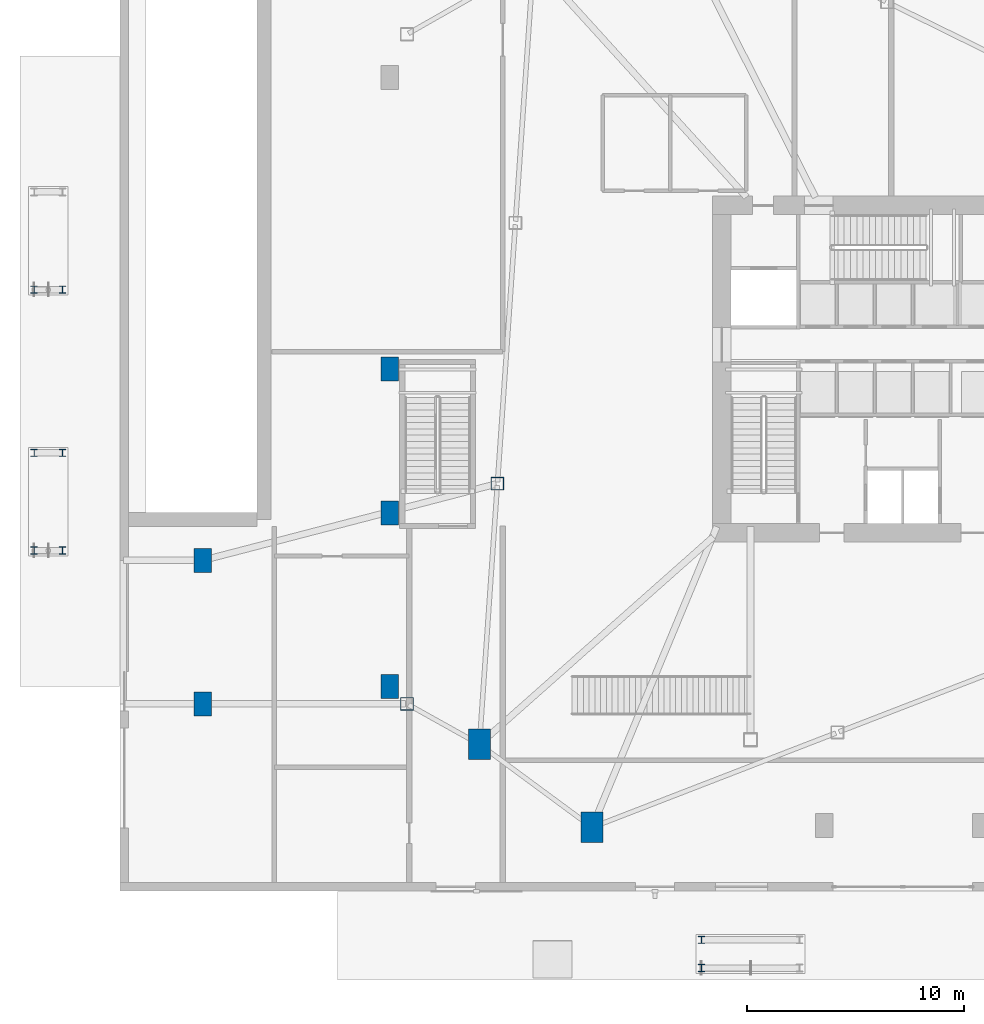
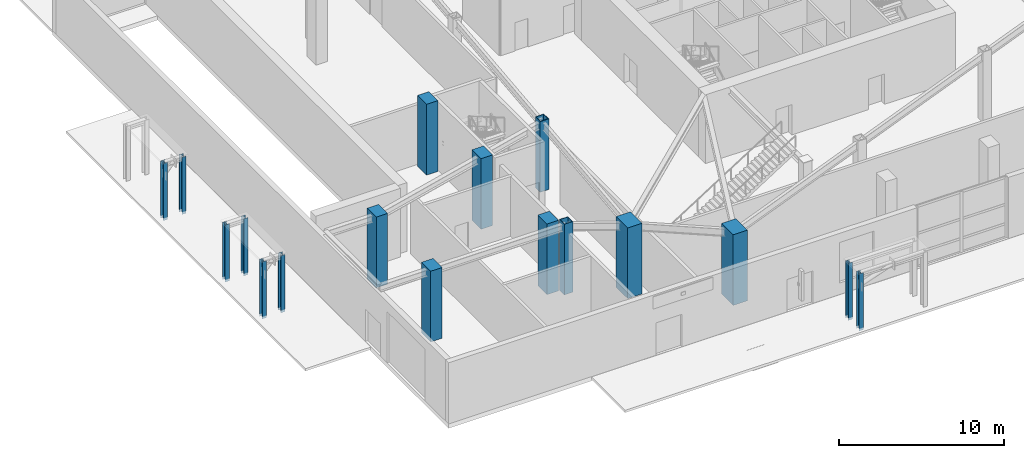
# One storey, part 1 of 22: 17 columns.
"""IFC4 building model written with IfcOpenShell, lengths in metres."""

from ifc_helpers import new_model, si_unit, direction, frame, origin, origin_2d, place, context, subcontext, project, spatial, rectangle, hollow_rectangle, i_section, extrude, source, transform, mapped, material, material_profile, profile_set, type_object, element, save


model = new_model("IFC4")

# Units and contexts
model_context = context("Model", 3, precision=1e-05, world=origin(), true_north=direction((0.0, 1.0)))
body_context = subcontext(model_context, "Body", "Model", "MODEL_VIEW")
ifc_project = project(units=[si_unit("LENGTHUNIT", "METRE"), si_unit("AREAUNIT", "SQUARE_METRE"), si_unit("VOLUMEUNIT", "CUBIC_METRE"), si_unit("PLANEANGLEUNIT", "RADIAN"), si_unit("MASSUNIT", "GRAM", prefix="KILO")], contexts=[model_context])

# Site, building, storey
site_placement = place(None, origin())
site = spatial("IfcSite", under=ifc_project, at=site_placement, CompositionType="ELEMENT")
building_placement = place(site_placement, origin())
building = spatial("IfcBuilding", under=site, at=building_placement, Name="Olszyna Solenne Hotel", CompositionType="ELEMENT")
storey_placement = place(building_placement, origin())
storey = spatial("IfcBuildingStorey", under=building, at=storey_placement, Name="L00", CompositionType="ELEMENT", Elevation=0.0)

# Columns
ifc_material_1 = material(Name="Concrete C60/75", Category="concrete")
ifc_material_profile_1 = material_profile(ifc_material_1, rectangle(XDim=1.0, YDim=1.39990234375, at=origin_2d()), Name="RC 1400x1000", Category="load-bearing")
ifc_profile_set_1 = profile_set([ifc_material_profile_1], Name="Concrete C60/75")
column_type_1 = type_object("IfcColumnType", Name="COL-P1", PredefinedType="COLUMN", material=ifc_profile_set_1)
shared_shape_1 = source(origin(), body_context, "Body", "SweptSolid", [
    extrude(rectangle(XDim=1.0, YDim=1.39990234375, at=origin_2d()), origin(), (0.0, 0.0, 1.0), 5.235107421875),
])
for number, where, z_axis, x_axis, name in (
    (1, (18.53173828125, 9.34130859375, 0.0), (0.0, 0.0, 1.0), (1.0, 0.0, 0.0), "Podium mega-column COL-P1 C-L00-P1-05"),
    (2, (23.71435546875, 5.520263671875, 0.0), (0.0, 0.0, 1.0), (1.0, 0.0, 0.0), "Podium mega-column COL-P1 C-L00-P1-06"),
):
    element("IfcColumn", number, at=place(storey_placement, frame(where, z_axis=z_axis, x_axis=x_axis)), inside=storey, type_object=column_type_1, Name=name, PredefinedType="COLUMN", context=body_context, shape_type="MappedRepresentation", body=[
        mapped(shared_shape_1, transform((0.0, 0.0, 0.0), x_axis=(1.0, 0.0, 0.0), y_axis=(0.0, 1.0, 0.0), z_axis=(0.0, 0.0, 1.0), scale=1.0)),
    ])
ifc_material_2 = material(Name="Steel S460M", Category="steel")
ifc_material_profile_2 = material_profile(ifc_material_2, hollow_rectangle(XDim=0.60009765625, YDim=0.60009765625, WallThickness=0.034912109375, at=origin_2d()), Name="SHS 600x600x35", Category="load-bearing")
ifc_profile_set_2 = profile_set([ifc_material_profile_2], Name="Steel S460M")
column_type_2 = type_object("IfcColumnType", Name="COL-P2", PredefinedType="COLUMN", material=ifc_profile_set_2)
shared_shape_2 = source(origin(), body_context, "Body", "SweptSolid", [
    extrude(hollow_rectangle(XDim=0.60009765625, YDim=0.60009765625, WallThickness=0.034912109375, at=origin_2d()), origin(), (0.0, 0.0, 1.0), 5.235107421875),
])
for number, where, z_axis, x_axis, name in (
    (3, (15.199951171875, 11.199951171875, 0.0), (0.0, 0.0, 1.0), (1.0, 0.0, 0.0), "Podium mega-column COL-P2 C-L00-P2-01"),
    (4, (19.359375, 21.33056640625, 0.0), (0.0, 0.0, 1.0), (1.0, 0.0, 0.0), "Podium transfer-support column COL-P2 C-L00-TG-05"),
):
    element("IfcColumn", number, at=place(storey_placement, frame(where, z_axis=z_axis, x_axis=x_axis)), inside=storey, type_object=column_type_2, Name=name, PredefinedType="COLUMN", context=body_context, shape_type="MappedRepresentation", body=[
        mapped(shared_shape_2, transform((0.0, 0.0, 0.0), x_axis=(1.0, 0.0, 0.0), y_axis=(0.0, 1.0, 0.0), z_axis=(0.0, 0.0, 1.0), scale=1.0)),
    ])
ifc_material_3 = material(Name="Concrete C50/60", Category="concrete")
ifc_material_profile_3 = material_profile(ifc_material_3, rectangle(XDim=0.800048828125, YDim=1.10009765625, at=origin_2d()), Name="RC 1100x800", Category="load-bearing")
ifc_profile_set_3 = profile_set([ifc_material_profile_3], Name="Concrete C50/60")
column_type_3 = type_object("IfcColumnType", Name="COL-B1", PredefinedType="COLUMN", material=ifc_profile_set_3)
shared_shape_3 = source(origin(), body_context, "Body", "SweptSolid", [
    extrude(rectangle(XDim=0.800048828125, YDim=1.10009765625, at=origin_2d()), origin(), (0.0, 0.0, 1.0), 5.235107421875),
])
for number, where, z_axis, x_axis, name in (
    (5, (14.39990234375, 12.0, 0.0), (0.0, 0.0, 1.0), (1.0, 0.0, 0.0), "Basement perimeter column COL-B1 C-L00-B1-01"),
    (6, (14.39990234375, 19.97998046875, 0.0), (0.0, 0.0, 1.0), (1.0, 0.0, 0.0), "Basement perimeter column COL-B1 C-L00-B1-02"),
    (7, (14.39990234375, 26.60009765625, 0.0), (0.0, 0.0, 1.0), (1.0, 0.0, 0.0), "Basement perimeter column COL-B1 C-L00-B1-03"),
    (8, (5.800048828125, 11.199951171875, 0.0), (0.0, 0.0, 1.0), (1.0, 0.0, 0.0), "Terrace support RC column COL-B1 C-L00-TC-096"),
    (9, (5.800048828125, 17.800048828125, 0.0), (0.0, 0.0, 1.0), (1.0, 0.0, 0.0), "Terrace support RC column COL-B1 C-L00-TC-097"),
):
    element("IfcColumn", number, at=place(storey_placement, frame(where, z_axis=z_axis, x_axis=x_axis)), inside=storey, type_object=column_type_3, Name=name, PredefinedType="COLUMN", context=body_context, shape_type="MappedRepresentation", body=[
        mapped(shared_shape_3, transform((0.0, 0.0, 0.0), x_axis=(1.0, 0.0, 0.0), y_axis=(0.0, 1.0, 0.0), z_axis=(0.0, 0.0, 1.0), scale=1.0)),
    ])
ifc_material_4 = material(Name="Steel S355J2", Category="steel")
ifc_material_profile_4 = material_profile(ifc_material_4, i_section(OverallWidth=0.300048828125, OverallDepth=0.340087890625, WebThickness=0.011962890625, FlangeThickness=0.021484375, at=origin_2d()), Name="HEB 340", Category="load-bearing")
ifc_profile_set_4 = profile_set([ifc_material_profile_4], Name="Steel S355J2")
column_type_4 = type_object("IfcColumnType", Name="COL-S1", PredefinedType="COLUMN", material=ifc_profile_set_4)
shared_shape_4 = source(origin(), body_context, "Body", "SweptSolid", [
    extrude(i_section(OverallWidth=0.300048828125, OverallDepth=0.340087890625, WebThickness=0.011962890625, FlangeThickness=0.021484375, at=origin_2d()), origin(), (0.0, 0.0, 1.0), 4.219970703125),
])
for number, where, z_axis, x_axis, name in (
    (10, (28.75, -0.949951171875, -0.179931640625), (0.0, 0.0, 1.0), (1.0, 0.0, 0.0), "Forecourt canopy column COL-S1 C-L00-CN-S1-1"),
    (11, (28.75, 0.35009765625, -0.179931640625), (0.0, 0.0, 1.0), (1.0, 0.0, 0.0), "Forecourt canopy column COL-S1 C-L00-CN-S1-4"),
    (12, (-1.949951171875, 18.25, -0.179931640625), (0.0, 0.0, 1.0), (1.0, 0.0, 0.0), "Forecourt canopy column COL-S1 C-L00-CN-W1-1"),
    (13, (-0.64990234375, 18.25, -0.179931640625), (0.0, 0.0, 1.0), (1.0, 0.0, 0.0), "Forecourt canopy column COL-S1 C-L00-CN-W1-2"),
    (14, (-0.64990234375, 22.75, -0.179931640625), (0.0, 0.0, 1.0), (1.0, 0.0, 0.0), "Forecourt canopy column COL-S1 C-L00-CN-W1-3"),
    (15, (-1.949951171875, 22.75, -0.179931640625), (0.0, 0.0, 1.0), (1.0, 0.0, 0.0), "Forecourt canopy column COL-S1 C-L00-CN-W1-4"),
    (16, (-1.949951171875, 30.25, -0.179931640625), (0.0, 0.0, 1.0), (1.0, 0.0, 0.0), "Forecourt canopy column COL-S1 C-L00-CN-W2-1"),
    (17, (-0.64990234375, 30.25, -0.179931640625), (0.0, 0.0, 1.0), (1.0, 0.0, 0.0), "Forecourt canopy column COL-S1 C-L00-CN-W2-2"),
):
    element("IfcColumn", number, at=place(storey_placement, frame(where, z_axis=z_axis, x_axis=x_axis)), inside=storey, type_object=column_type_4, Name=name, PredefinedType="COLUMN", context=body_context, shape_type="MappedRepresentation", body=[
        mapped(shared_shape_4, transform((0.0, 0.0, 0.0), x_axis=(1.0, 0.0, 0.0), y_axis=(0.0, 1.0, 0.0), z_axis=(0.0, 0.0, 1.0), scale=1.0)),
    ])

save(model, "model.ifc")
